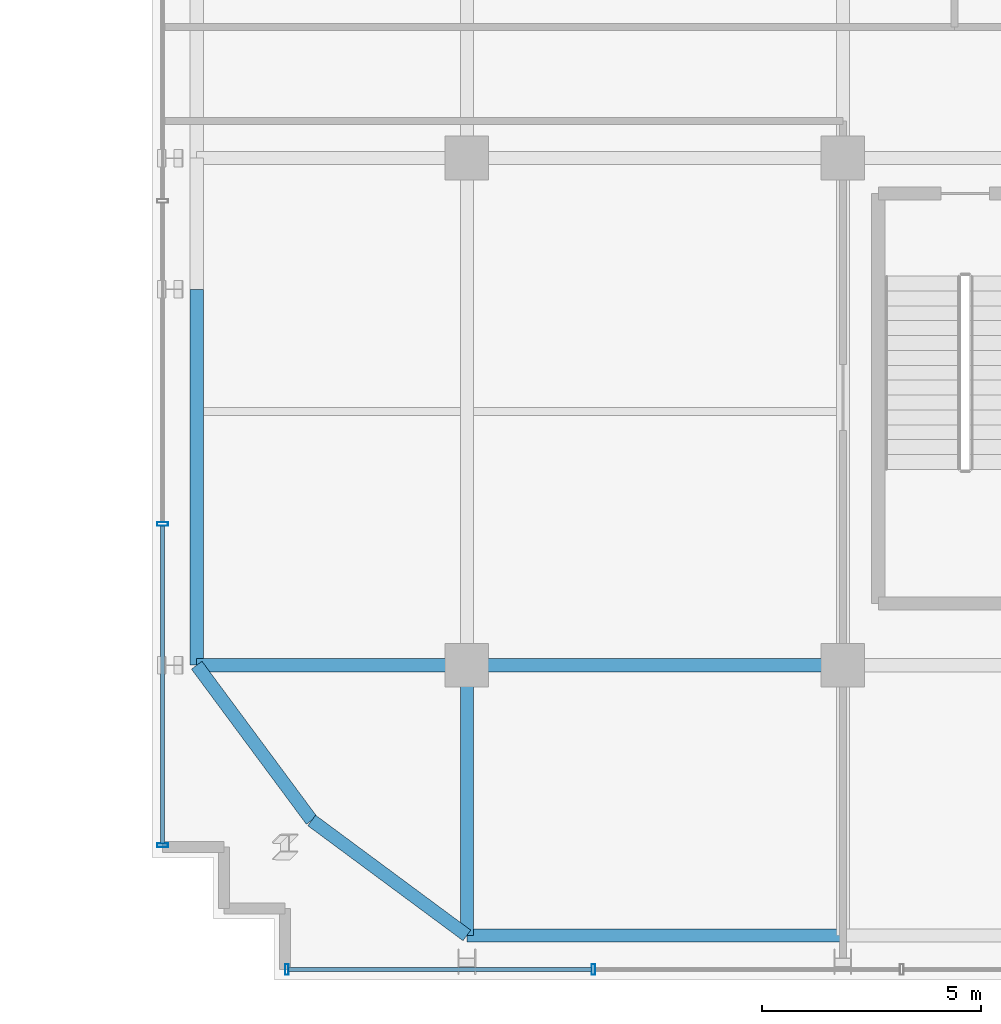
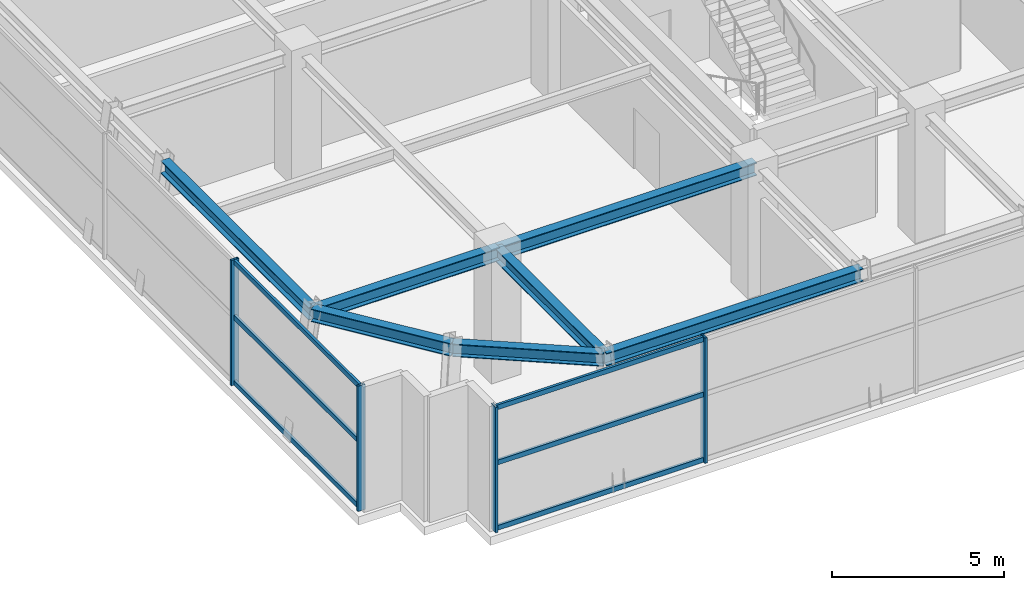
# One storey, part 2 of 28: 10 members, 7 beams, 2 elements without a shape of their own.
"""IFC4 building model written with IfcOpenShell, lengths in metres."""

from ifc_helpers import new_model, si_unit, direction, frame, origin, origin_2d, place, context, subcontext, project, spatial, hollow_rectangle, i_section, extrude, source, transform, mapped, material, material_profile, profile_set, type_object, element, aggregate, save


model = new_model("IFC4")

# Units and contexts
model_context = context("Model", 3, precision=1e-05, world=origin(), true_north=direction((0.0, 1.0)))
body_context = subcontext(model_context, "Body", "Model", "MODEL_VIEW")
ifc_project = project(units=[si_unit("LENGTHUNIT", "METRE"), si_unit("AREAUNIT", "SQUARE_METRE"), si_unit("VOLUMEUNIT", "CUBIC_METRE"), si_unit("PLANEANGLEUNIT", "RADIAN"), si_unit("MASSUNIT", "GRAM", prefix="KILO")], contexts=[model_context])

# Site, building, storey
site_placement = place(None, origin())
site = spatial("IfcSite", under=ifc_project, at=site_placement, CompositionType="ELEMENT")
building_placement = place(site_placement, origin())
building = spatial("IfcBuilding", under=site, at=building_placement, Name="Nahalor Promenade Grand Hotel", CompositionType="ELEMENT")
storey_placement = place(building_placement, frame((0.0, 0.0, 256.699951171875)))
storey = spatial("IfcBuildingStorey", under=building, at=storey_placement, Name="L66", CompositionType="ELEMENT", Elevation=256.699951171875)

# Beams
ifc_material_1 = material(Name="Steel S355JR", Category="steel")
ifc_material_profile_1 = material_profile(ifc_material_1, i_section(OverallWidth=0.3, OverallDepth=0.45, WebThickness=0.014, FlangeThickness=0.026, at=origin_2d()), Name="HEB 450")
ifc_profile_set_1 = profile_set([ifc_material_profile_1], Name="Steel S355JR")
beam_type_1 = type_object("IfcBeamType", Name="Beam-Spandrel-HEB450", PredefinedType="SPANDREL", material=ifc_profile_set_1)
shared_shape_1 = source(origin(), body_context, "Body", "SweptSolid", [
    extrude(i_section(OverallWidth=0.3, OverallDepth=0.45, WebThickness=0.014, FlangeThickness=0.026, at=origin_2d()), origin(), (0.0, 0.0, 1.0), 8.60009765625),
])
for number, where, z_axis, x_axis, name in (
    (1, (-17.0, -23.179931640625, 4.215087890625), (1.0, 0.0, 0.0), (0.0, 1.0, 0.0), "BM-L66-SP-S-0"),
    (2, (-23.179931640625, -17.0, 4.215087890625), (0.0, 1.0, 0.0), (-1.0, 0.0, 0.0), "BM-L66-SP-W-0"),
):
    element("IfcBeam", number, at=place(storey_placement, frame(where, z_axis=z_axis, x_axis=x_axis)), inside=storey, type_object=beam_type_1, Name=name, PredefinedType="SPANDREL", context=body_context, shape_type="MappedRepresentation", body=[
        mapped(shared_shape_1, transform((0.0, 0.0, 0.0), scale=1.0)),
    ])
ifc_material_profile_2 = material_profile(ifc_material_1, i_section(OverallWidth=0.3, OverallDepth=0.45, WebThickness=0.014, FlangeThickness=0.026, at=origin_2d()), Name="HEB 450")
ifc_profile_set_2 = profile_set([ifc_material_profile_2], Name="Steel S355JR")
beam_type_2 = type_object("IfcBeamType", Name="Beam-Girder-HEB450", PredefinedType="BEAM", material=ifc_profile_set_2)
shared_shape_2 = source(origin(), body_context, "Body", "SweptSolid", [
    extrude(i_section(OverallWidth=0.3, OverallDepth=0.45, WebThickness=0.014, FlangeThickness=0.026, at=origin_2d()), origin(), (0.0, 0.0, 1.0), 8.60009765625),
])
beam_placement = place(storey_placement, frame((-17.0, -17.0, 4.215087890625), z_axis=(1.0, 0.0, 0.0), x_axis=(0.0, 1.0, 0.0)))
element("IfcBeam", 3, at=beam_placement, inside=storey, type_object=beam_type_2, Name="BM-L66-GX-0-1", PredefinedType="BEAM", context=body_context, shape_type="MappedRepresentation", body=[
    mapped(shared_shape_2, transform((0.0, 0.0, 0.0), scale=1.0)),
])
shared_shape_3 = source(origin(), body_context, "Body", "SweptSolid", [
    extrude(i_section(OverallWidth=0.3, OverallDepth=0.45, WebThickness=0.014, FlangeThickness=0.026, at=origin_2d()), origin(), (0.0, 0.0, 1.0), 6.179931640625),
])
for number, where, z_axis, x_axis, name in (
    (4, (-23.179931640625, -17.0, 4.215087890625), (1.0, 0.0, 0.0), (0.0, 1.0, 0.0), "BM-L66-GX-0-0"),
    (5, (-17.0, -23.179931640625, 4.215087890625), (0.0, 1.0, 0.0), (-1.0, 0.0, 0.0), "BM-L66-GY-0-0"),
):
    element("IfcBeam", number, at=place(storey_placement, frame(where, z_axis=z_axis, x_axis=x_axis)), inside=storey, type_object=beam_type_2, Name=name, PredefinedType="BEAM", context=body_context, shape_type="MappedRepresentation", body=[
        mapped(shared_shape_3, transform((0.0, 0.0, 0.0), scale=1.0)),
    ])
shared_shape_4 = source(origin(), body_context, "Body", "SweptSolid", [
    extrude(i_section(OverallWidth=0.3, OverallDepth=0.45, WebThickness=0.014, FlangeThickness=0.026, at=origin_2d()), origin(), (0.0, 0.0, 1.0), 4.41796875),
])
for number, where, z_axis, x_axis, name in (
    (6, (-17.0, -23.179931640625, 4.215087890625), (-0.803533698711, 0.595259267073, 0.0), (-0.595259267073, -0.803533698711, 0.0), "BM-L66-SPC-SW-1"),
    (7, (-20.550048828125, -20.550048828125, 4.215087890625), (-0.595259267073, 0.803533698711, 0.0), (-0.803533698711, -0.595259267073, 0.0), "BM-L66-SPC-SW-2"),
):
    element("IfcBeam", number, at=place(storey_placement, frame(where, z_axis=z_axis, x_axis=x_axis)), inside=storey, type_object=beam_type_1, Name=name, PredefinedType="SPANDREL", context=body_context, shape_type="MappedRepresentation", body=[
        mapped(shared_shape_4, transform((0.0, 0.0, 0.0), scale=1.0)),
    ])

# Curtain wall, members
ifc_material_2 = material(Name="Anodised Bronze Aluminium EN AW-6063 T6", Category="aluminium")
curtain_wall_type = type_object("IfcCurtainWallType", Name="CW5 Sky-Lobby & Observation Panoramic Curtain Wall", PredefinedType="USERDEFINED", material=ifc_material_2)
curtain_wall_1_placement = place(storey_placement, origin())
curtain_wall_1 = element("IfcCurtainWall", 8, at=curtain_wall_1_placement, inside=storey, type_object=curtain_wall_type, Name="L66 Curtain Wall CW-L66-S-1", ObjectType="UNITISED_CURTAIN_WALL", PredefinedType="USERDEFINED")
ifc_material_profile_3 = material_profile(ifc_material_2, hollow_rectangle(XDim=0.085, YDim=0.25, WallThickness=0.006, at=origin_2d()), Name="CWM 85x250x6")
ifc_profile_set_3 = profile_set([ifc_material_profile_3], Name="Anodised Bronze Aluminium EN AW-6063 T6")
member_type_1 = type_object("IfcMemberType", Name="CWM5 Panoramic Deep Mullion 85x250", PredefinedType="MULLION", material=ifc_profile_set_3)
shared_shape_5 = source(origin(), body_context, "Body", "SweptSolid", [
    extrude(hollow_rectangle(XDim=0.085, YDim=0.25, WallThickness=0.006, at=origin_2d()), origin(), (0.0, 0.0, 1.0), 4.43994140625),
])
member_1_placement = place(storey_placement, frame((-21.117431640625, -23.9599609375, 0.0), z_axis=(0.0, 0.0, 1.0), x_axis=(1.0, 0.0, 0.0)))
member_1 = element("IfcMember", 9, at=member_1_placement, type_object=member_type_1, Name="CW-L66-S-1 Mullion 0", PredefinedType="MULLION", context=body_context, shape_type="MappedRepresentation", body=[
    mapped(shared_shape_5, transform((0.0, 0.0, 0.0), scale=1.0)),
])
member_2_placement = place(storey_placement, frame((-14.106689453125, -23.9599609375, 0.0), z_axis=(0.0, 0.0, 1.0), x_axis=(1.0, 0.0, 0.0)))
member_2 = element("IfcMember", 10, at=member_2_placement, type_object=member_type_1, Name="CW-L66-S-1 Mullion 1", PredefinedType="MULLION", context=body_context, shape_type="MappedRepresentation", body=[
    mapped(shared_shape_5, transform((0.0, 0.0, 0.0), scale=1.0)),
])

curtain_wall_2_placement = place(storey_placement, origin())
curtain_wall_2 = element("IfcCurtainWall", 11, at=curtain_wall_2_placement, inside=storey, type_object=curtain_wall_type, Name="L66 Curtain Wall CW-L66-W-1", ObjectType="UNITISED_CURTAIN_WALL", PredefinedType="USERDEFINED")
member_3_placement = place(storey_placement, frame((-23.9599609375, -21.117431640625, 0.0), z_axis=(0.0, 0.0, 1.0), x_axis=(0.0, 1.0, 0.0)))
member_3 = element("IfcMember", 12, at=member_3_placement, type_object=member_type_1, Name="CW-L66-W-1 Mullion 0", PredefinedType="MULLION", context=body_context, shape_type="MappedRepresentation", body=[
    mapped(shared_shape_5, transform((0.0, 0.0, 0.0), scale=1.0)),
])
member_4_placement = place(storey_placement, frame((-23.9599609375, -13.77001953125, 0.0), z_axis=(0.0, 0.0, 1.0), x_axis=(0.0, 1.0, 0.0)))
member_4 = element("IfcMember", 13, at=member_4_placement, type_object=member_type_1, Name="CW-L66-W-1 Mullion 1", PredefinedType="MULLION", context=body_context, shape_type="MappedRepresentation", body=[
    mapped(shared_shape_5, transform((0.0, 0.0, 0.0), scale=1.0)),
])

# Member
ifc_material_profile_4 = material_profile(ifc_material_2, hollow_rectangle(XDim=0.085, YDim=0.17, WallThickness=0.005, at=origin_2d()), Name="CWT 85x170x5")
ifc_profile_set_4 = profile_set([ifc_material_profile_4], Name="Anodised Bronze Aluminium EN AW-6063 T6")
member_type_2 = type_object("IfcMemberType", Name="CWT5 Panoramic Transom 85x170", PredefinedType="USERDEFINED", material=ifc_profile_set_4)
shared_shape_6 = source(origin(), body_context, "Body", "SweptSolid", [
    extrude(hollow_rectangle(XDim=0.085, YDim=0.17, WallThickness=0.005, at=origin_2d()), origin(), (0.0, 0.0, 1.0), 6.92578125),
])
member_5_placement = place(storey_placement, frame((-21.074951171875, -23.9599609375, 0.0849609375), z_axis=(1.0, 0.0, 0.0), x_axis=(0.0, 1.0, 0.0)))
member_5 = element("IfcMember", 14, at=member_5_placement, type_object=member_type_2, Name="CW-L66-S-1 Transom 0-0", ObjectType="TRANSOM", PredefinedType="USERDEFINED", context=body_context, shape_type="MappedRepresentation", body=[
    mapped(shared_shape_6, transform((0.0, 0.0, 0.0), scale=1.0)),
])

member_6_placement = place(storey_placement, frame((-21.074951171875, -23.9599609375, 2.400146484375), z_axis=(1.0, 0.0, 0.0), x_axis=(0.0, 1.0, 0.0)))
member_6 = element("IfcMember", 15, at=member_6_placement, type_object=member_type_2, Name="CW-L66-S-1 Transom 0-1", ObjectType="TRANSOM", PredefinedType="USERDEFINED", context=body_context, shape_type="MappedRepresentation", body=[
    mapped(shared_shape_6, transform((0.0, 0.0, 0.0), scale=1.0)),
])

member_7_placement = place(storey_placement, frame((-21.074951171875, -23.9599609375, 4.35498046875), z_axis=(1.0, 0.0, 0.0), x_axis=(0.0, 1.0, 0.0)))
member_7 = element("IfcMember", 16, at=member_7_placement, type_object=member_type_2, Name="CW-L66-S-1 Transom 0-2", ObjectType="TRANSOM", PredefinedType="USERDEFINED", context=body_context, shape_type="MappedRepresentation", body=[
    mapped(shared_shape_6, transform((0.0, 0.0, 0.0), scale=1.0)),
])

aggregate(curtain_wall_1, [member_1, member_2, member_5, member_6, member_7])

shared_shape_7 = source(origin(), body_context, "Body", "SweptSolid", [
    extrude(hollow_rectangle(XDim=0.085, YDim=0.17, WallThickness=0.005, at=origin_2d()), origin(), (0.0, 0.0, 1.0), 7.262451171875),
])
member_8_placement = place(storey_placement, frame((-23.9599609375, -21.074951171875, 0.0849609375), z_axis=(0.0, 1.0, 0.0), x_axis=(-1.0, 0.0, 0.0)))
member_8 = element("IfcMember", 17, at=member_8_placement, type_object=member_type_2, Name="CW-L66-W-1 Transom 0-0", ObjectType="TRANSOM", PredefinedType="USERDEFINED", context=body_context, shape_type="MappedRepresentation", body=[
    mapped(shared_shape_7, transform((0.0, 0.0, 0.0), scale=1.0)),
])

member_9_placement = place(storey_placement, frame((-23.9599609375, -21.074951171875, 2.400146484375), z_axis=(0.0, 1.0, 0.0), x_axis=(-1.0, 0.0, 0.0)))
member_9 = element("IfcMember", 18, at=member_9_placement, type_object=member_type_2, Name="CW-L66-W-1 Transom 0-1", ObjectType="TRANSOM", PredefinedType="USERDEFINED", context=body_context, shape_type="MappedRepresentation", body=[
    mapped(shared_shape_7, transform((0.0, 0.0, 0.0), scale=1.0)),
])

member_10_placement = place(storey_placement, frame((-23.9599609375, -21.074951171875, 4.35498046875), z_axis=(0.0, 1.0, 0.0), x_axis=(-1.0, 0.0, 0.0)))
member_10 = element("IfcMember", 19, at=member_10_placement, type_object=member_type_2, Name="CW-L66-W-1 Transom 0-2", ObjectType="TRANSOM", PredefinedType="USERDEFINED", context=body_context, shape_type="MappedRepresentation", body=[
    mapped(shared_shape_7, transform((0.0, 0.0, 0.0), scale=1.0)),
])

aggregate(curtain_wall_2, [member_3, member_4, member_8, member_9, member_10])

save(model, "model.ifc")
